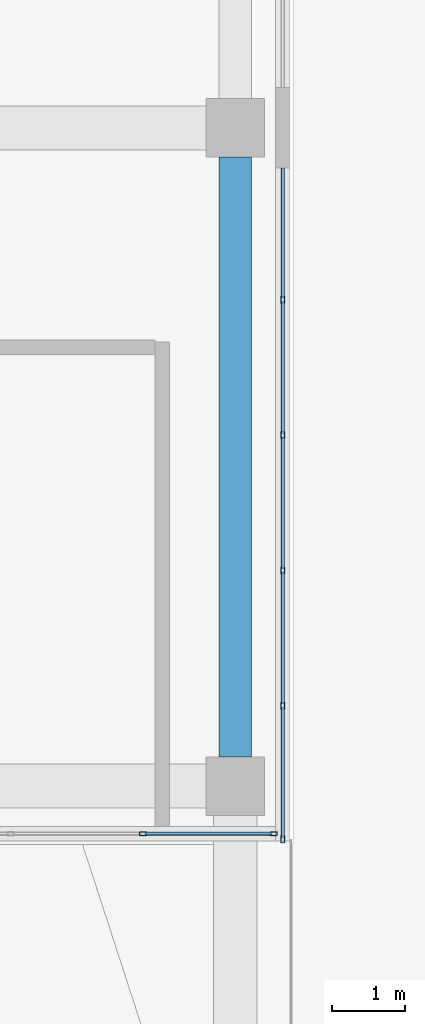
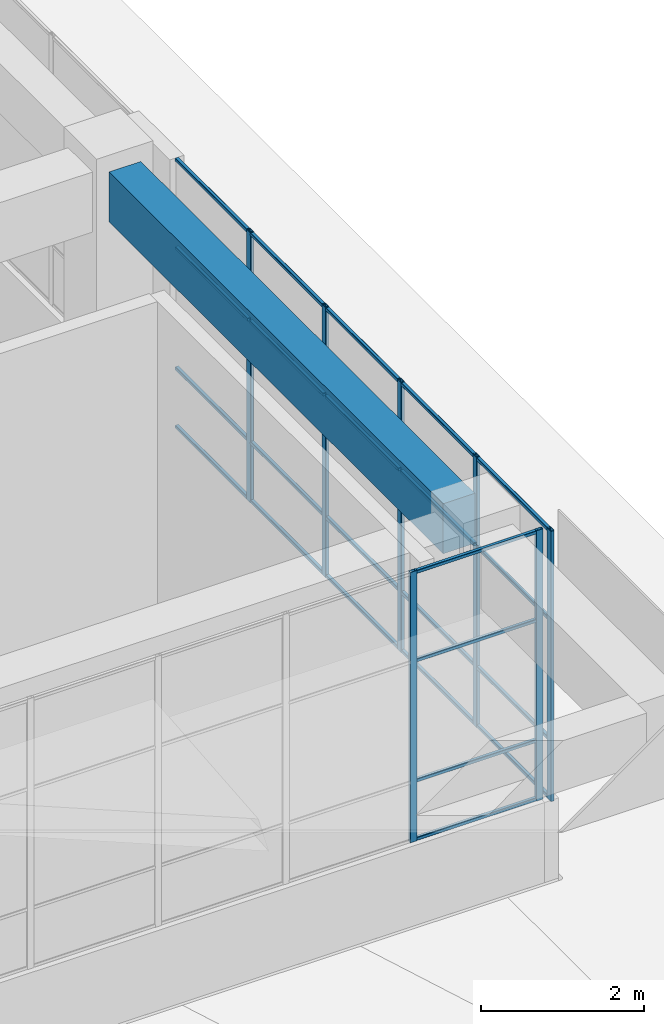
# One storey, part 34 of 72: 31 members, 1 beam, 2 elements without a shape of their own.
"""IFC4 building model written with IfcOpenShell, lengths in metres."""

from ifc_helpers import new_model, si_unit, direction, frame, origin, origin_2d, place, context, subcontext, project, spatial, rectangle, hollow_rectangle, extrude, material, layer, layer_set, material_profile, profile_set, type_object, element, aggregate, save


model = new_model("IFC4")

# Units and contexts
model_context = context("Model", 3, precision=1e-05, world=origin(), true_north=direction((0.0, 1.0)))
body_context = subcontext(model_context, "Body", "Model", "MODEL_VIEW")
ifc_project = project(units=[si_unit("LENGTHUNIT", "METRE"), si_unit("AREAUNIT", "SQUARE_METRE"), si_unit("VOLUMEUNIT", "CUBIC_METRE"), si_unit("PLANEANGLEUNIT", "RADIAN"), si_unit("MASSUNIT", "GRAM", prefix="KILO")], contexts=[model_context])

# Site, building, storey
site_placement = place(None, origin())
site = spatial("IfcSite", under=ifc_project, at=site_placement, CompositionType="ELEMENT")
building_placement = place(site_placement, origin())
building = spatial("IfcBuilding", under=site, at=building_placement, Name="Tuart Plaza Theatre", CompositionType="ELEMENT")
storey_placement = place(building_placement, origin())
storey = spatial("IfcBuildingStorey", under=building, at=storey_placement, Name="L00", CompositionType="ELEMENT", Elevation=0.0)

# Beam
ifc_material_1 = material(Name="Concrete N40 (40 MPa)", Category="concrete")
ifc_material_profile_1 = material_profile(ifc_material_1, rectangle(XDim=0.449951171875, YDim=0.75, at=origin_2d()), Name="BEAM 450x750 Concrete N40 (40 MPa)")
ifc_profile_set_1 = profile_set([ifc_material_profile_1], Name="Concrete N40 (40 MPa)")
beam_type = type_object("IfcBeamType", Name="BEAM 450x750 Concrete N40 (40 MPa)", PredefinedType="BEAM", material=ifc_profile_set_1)
beam_placement = place(storey_placement, frame((150.0, 56.39990234375, 4.875), z_axis=(0.0, 1.0, 0.0), x_axis=(-1.0, 0.0, 0.0)))
element("IfcBeam", 1, at=beam_placement, inside=storey, type_object=beam_type, Name="RB158", PredefinedType="BEAM", context=body_context, shape_type="SweptSolid", body=[
    extrude(rectangle(XDim=0.449951171875, YDim=0.75, at=origin_2d()), origin(), (0.0, 0.0, 1.0), 8.2001953125),
])

# Curtain wall, members
ifc_material_2 = material(Name="Aluminium and glass", Category="aluminium")
ifc_layer_1 = layer(ifc_material_2, 0.10009765625)
ifc_layer_set_1 = layer_set([ifc_layer_1], Name="CURTAIN WALL 2000 module")
curtain_wall_type_1 = type_object("IfcCurtainWallType", Name="CURTAIN WALL 2000 module", PredefinedType="NOTDEFINED", material=ifc_layer_set_1)
curtain_wall_1_placement = place(storey_placement, origin())
curtain_wall_1 = element("IfcCurtainWall", 2, at=curtain_wall_1_placement, inside=storey, type_object=curtain_wall_type_1, Name="CW48", PredefinedType="NOTDEFINED")
ifc_material_3 = material(Name="Aluminium 6063-T5", Category="aluminium")
ifc_material_profile_2 = material_profile(ifc_material_3, hollow_rectangle(XDim=0.050048828125, YDim=0.10009765625, WallThickness=0.00390625, InnerFilletRadius=0.00390625, OuterFilletRadius=0.008056640625, at=origin_2d()), Name="RHS 100x50x4")
ifc_profile_set_2 = profile_set([ifc_material_profile_2], Name="Aluminium 6063-T5")
member_type_1 = type_object("IfcMemberType", Name="MULLION RHS 100x50x4", PredefinedType="MULLION", material=ifc_profile_set_2)
member_1_placement = place(storey_placement, frame((150.64990234375, 55.27490234375, 1.199951171875), z_axis=(0.0, 0.0, 1.0), x_axis=(-1.0, 0.0, 0.0)))
member_1 = element("IfcMember", 3, at=member_1_placement, type_object=member_type_1, Name="CW48 mullion 1", PredefinedType="MULLION", context=body_context, shape_type="SweptSolid", body=[
    extrude(hollow_rectangle(XDim=0.050048828125, YDim=0.10009765625, WallThickness=0.00390625, InnerFilletRadius=0.00390625, OuterFilletRadius=0.008056640625, at=origin_2d()), origin(), (0.0, 0.0, 1.0), 4.050048828125),
])
member_2_placement = place(storey_placement, frame((150.64990234375, 57.10009765625, 1.199951171875), z_axis=(0.0, 0.0, 1.0), x_axis=(-1.0, 0.0, 0.0)))
member_2 = element("IfcMember", 4, at=member_2_placement, type_object=member_type_1, Name="CW48 mullion 2", PredefinedType="MULLION", context=body_context, shape_type="SweptSolid", body=[
    extrude(hollow_rectangle(XDim=0.050048828125, YDim=0.10009765625, WallThickness=0.00390625, InnerFilletRadius=0.00390625, OuterFilletRadius=0.008056640625, at=origin_2d()), origin(), (0.0, 0.0, 1.0), 4.050048828125),
])
member_3_placement = place(storey_placement, frame((150.64990234375, 58.949951171875, 1.199951171875), z_axis=(0.0, 0.0, 1.0), x_axis=(-1.0, 0.0, 0.0)))
member_3 = element("IfcMember", 5, at=member_3_placement, type_object=member_type_1, Name="CW48 mullion 3", PredefinedType="MULLION", context=body_context, shape_type="SweptSolid", body=[
    extrude(hollow_rectangle(XDim=0.050048828125, YDim=0.10009765625, WallThickness=0.00390625, InnerFilletRadius=0.00390625, OuterFilletRadius=0.008056640625, at=origin_2d()), origin(), (0.0, 0.0, 1.0), 4.050048828125),
])
member_4_placement = place(storey_placement, frame((150.64990234375, 60.800048828125, 1.199951171875), z_axis=(0.0, 0.0, 1.0), x_axis=(-1.0, 0.0, 0.0)))
member_4 = element("IfcMember", 6, at=member_4_placement, type_object=member_type_1, Name="CW48 mullion 4", PredefinedType="MULLION", context=body_context, shape_type="SweptSolid", body=[
    extrude(hollow_rectangle(XDim=0.050048828125, YDim=0.10009765625, WallThickness=0.00390625, InnerFilletRadius=0.00390625, OuterFilletRadius=0.008056640625, at=origin_2d()), origin(), (0.0, 0.0, 1.0), 4.050048828125),
])
member_5_placement = place(storey_placement, frame((150.64990234375, 62.64990234375, 1.199951171875), z_axis=(0.0, 0.0, 1.0), x_axis=(-1.0, 0.0, 0.0)))
member_5 = element("IfcMember", 7, at=member_5_placement, type_object=member_type_1, Name="CW48 mullion 5", PredefinedType="MULLION", context=body_context, shape_type="SweptSolid", body=[
    extrude(hollow_rectangle(XDim=0.050048828125, YDim=0.10009765625, WallThickness=0.00390625, InnerFilletRadius=0.00390625, OuterFilletRadius=0.008056640625, at=origin_2d()), origin(), (0.0, 0.0, 1.0), 4.050048828125),
])

ifc_material_4 = material(Name="Aluminium and glass", Category="aluminium")
ifc_layer_2 = layer(ifc_material_4, 0.10009765625)
ifc_layer_set_2 = layer_set([ifc_layer_2], Name="CURTAIN WALL 1800 module")
curtain_wall_type_2 = type_object("IfcCurtainWallType", Name="CURTAIN WALL 1800 module", PredefinedType="NOTDEFINED", material=ifc_layer_set_2)
curtain_wall_2_placement = place(storey_placement, origin())
curtain_wall_2 = element("IfcCurtainWall", 8, at=curtain_wall_2_placement, inside=storey, type_object=curtain_wall_type_2, Name="CW66", PredefinedType="NOTDEFINED")
member_6_placement = place(storey_placement, frame((148.739990234375, 55.35009765625, 1.199951171875), z_axis=(0.0, 0.0, 1.0), x_axis=(0.0, 1.0, 0.0)))
member_6 = element("IfcMember", 9, at=member_6_placement, type_object=member_type_1, Name="CW66 mullion 5", PredefinedType="MULLION", context=body_context, shape_type="SweptSolid", body=[
    extrude(hollow_rectangle(XDim=0.050048828125, YDim=0.10009765625, WallThickness=0.00390625, InnerFilletRadius=0.00390625, OuterFilletRadius=0.008056640625, at=origin_2d()), origin(), (0.0, 0.0, 1.0), 4.050048828125),
])
member_7_placement = place(storey_placement, frame((150.52490234375, 55.35009765625, 1.199951171875), z_axis=(0.0, 0.0, 1.0), x_axis=(0.0, 1.0, 0.0)))
member_7 = element("IfcMember", 10, at=member_7_placement, type_object=member_type_1, Name="CW66 mullion 6", PredefinedType="MULLION", context=body_context, shape_type="SweptSolid", body=[
    extrude(hollow_rectangle(XDim=0.050048828125, YDim=0.10009765625, WallThickness=0.00390625, InnerFilletRadius=0.00390625, OuterFilletRadius=0.008056640625, at=origin_2d()), origin(), (0.0, 0.0, 1.0), 4.050048828125),
])

# Member
ifc_material_5 = material(Name="Aluminium 6063-T5", Category="aluminium")
ifc_material_profile_3 = material_profile(ifc_material_5, hollow_rectangle(XDim=0.050048828125, YDim=0.050048828125, WallThickness=0.00390625, InnerFilletRadius=0.00390625, OuterFilletRadius=0.008056640625, at=origin_2d()), Name="RHS 50x50x4")
ifc_profile_set_3 = profile_set([ifc_material_profile_3], Name="Aluminium 6063-T5")
member_type_2 = type_object("IfcMemberType", Name="TRANSOM RHS 50x50x4", PredefinedType="USERDEFINED", material=ifc_profile_set_3)
member_8_placement = place(storey_placement, frame((150.64990234375, 55.300048828125, 1.22509765625), z_axis=(0.0, 1.0, 0.0), x_axis=(-1.0, 0.0, 0.0)))
member_8 = element("IfcMember", 11, at=member_8_placement, type_object=member_type_2, Name="CW48 transom 1.1", ObjectType="TRANSOM", PredefinedType="USERDEFINED", context=body_context, shape_type="SweptSolid", body=[
    extrude(hollow_rectangle(XDim=0.050048828125, YDim=0.050048828125, WallThickness=0.00390625, InnerFilletRadius=0.00390625, OuterFilletRadius=0.008056640625, at=origin_2d()), origin(), (0.0, 0.0, 1.0), 1.77490234375),
])

member_9_placement = place(storey_placement, frame((150.64990234375, 55.300048828125, 2.10009765625), z_axis=(0.0, 1.0, 0.0), x_axis=(-1.0, 0.0, 0.0)))
member_9 = element("IfcMember", 12, at=member_9_placement, type_object=member_type_2, Name="CW48 transom 1.2", ObjectType="TRANSOM", PredefinedType="USERDEFINED", context=body_context, shape_type="SweptSolid", body=[
    extrude(hollow_rectangle(XDim=0.050048828125, YDim=0.050048828125, WallThickness=0.00390625, InnerFilletRadius=0.00390625, OuterFilletRadius=0.008056640625, at=origin_2d()), origin(), (0.0, 0.0, 1.0), 1.77490234375),
])

member_10_placement = place(storey_placement, frame((150.64990234375, 55.300048828125, 3.89990234375), z_axis=(0.0, 1.0, 0.0), x_axis=(-1.0, 0.0, 0.0)))
member_10 = element("IfcMember", 13, at=member_10_placement, type_object=member_type_2, Name="CW48 transom 1.3", ObjectType="TRANSOM", PredefinedType="USERDEFINED", context=body_context, shape_type="SweptSolid", body=[
    extrude(hollow_rectangle(XDim=0.050048828125, YDim=0.050048828125, WallThickness=0.00390625, InnerFilletRadius=0.00390625, OuterFilletRadius=0.008056640625, at=origin_2d()), origin(), (0.0, 0.0, 1.0), 1.77490234375),
])

member_11_placement = place(storey_placement, frame((150.64990234375, 55.300048828125, 5.22509765625), z_axis=(0.0, 1.0, 0.0), x_axis=(-1.0, 0.0, 0.0)))
member_11 = element("IfcMember", 14, at=member_11_placement, type_object=member_type_2, Name="CW48 transom 1.4", ObjectType="TRANSOM", PredefinedType="USERDEFINED", context=body_context, shape_type="SweptSolid", body=[
    extrude(hollow_rectangle(XDim=0.050048828125, YDim=0.050048828125, WallThickness=0.00390625, InnerFilletRadius=0.00390625, OuterFilletRadius=0.008056640625, at=origin_2d()), origin(), (0.0, 0.0, 1.0), 1.77490234375),
])

member_12_placement = place(storey_placement, frame((150.64990234375, 57.125, 1.22509765625), z_axis=(0.0, 1.0, 0.0), x_axis=(-1.0, 0.0, 0.0)))
member_12 = element("IfcMember", 15, at=member_12_placement, type_object=member_type_2, Name="CW48 transom 2.1", ObjectType="TRANSOM", PredefinedType="USERDEFINED", context=body_context, shape_type="SweptSolid", body=[
    extrude(hollow_rectangle(XDim=0.050048828125, YDim=0.050048828125, WallThickness=0.00390625, InnerFilletRadius=0.00390625, OuterFilletRadius=0.008056640625, at=origin_2d()), origin(), (0.0, 0.0, 1.0), 1.800048828125),
])

member_13_placement = place(storey_placement, frame((150.64990234375, 57.125, 2.10009765625), z_axis=(0.0, 1.0, 0.0), x_axis=(-1.0, 0.0, 0.0)))
member_13 = element("IfcMember", 16, at=member_13_placement, type_object=member_type_2, Name="CW48 transom 2.2", ObjectType="TRANSOM", PredefinedType="USERDEFINED", context=body_context, shape_type="SweptSolid", body=[
    extrude(hollow_rectangle(XDim=0.050048828125, YDim=0.050048828125, WallThickness=0.00390625, InnerFilletRadius=0.00390625, OuterFilletRadius=0.008056640625, at=origin_2d()), origin(), (0.0, 0.0, 1.0), 1.800048828125),
])

member_14_placement = place(storey_placement, frame((150.64990234375, 57.125, 3.89990234375), z_axis=(0.0, 1.0, 0.0), x_axis=(-1.0, 0.0, 0.0)))
member_14 = element("IfcMember", 17, at=member_14_placement, type_object=member_type_2, Name="CW48 transom 2.3", ObjectType="TRANSOM", PredefinedType="USERDEFINED", context=body_context, shape_type="SweptSolid", body=[
    extrude(hollow_rectangle(XDim=0.050048828125, YDim=0.050048828125, WallThickness=0.00390625, InnerFilletRadius=0.00390625, OuterFilletRadius=0.008056640625, at=origin_2d()), origin(), (0.0, 0.0, 1.0), 1.800048828125),
])

member_15_placement = place(storey_placement, frame((150.64990234375, 57.125, 5.22509765625), z_axis=(0.0, 1.0, 0.0), x_axis=(-1.0, 0.0, 0.0)))
member_15 = element("IfcMember", 18, at=member_15_placement, type_object=member_type_2, Name="CW48 transom 2.4", ObjectType="TRANSOM", PredefinedType="USERDEFINED", context=body_context, shape_type="SweptSolid", body=[
    extrude(hollow_rectangle(XDim=0.050048828125, YDim=0.050048828125, WallThickness=0.00390625, InnerFilletRadius=0.00390625, OuterFilletRadius=0.008056640625, at=origin_2d()), origin(), (0.0, 0.0, 1.0), 1.800048828125),
])

member_16_placement = place(storey_placement, frame((150.64990234375, 58.97509765625, 1.22509765625), z_axis=(0.0, 1.0, 0.0), x_axis=(-1.0, 0.0, 0.0)))
member_16 = element("IfcMember", 19, at=member_16_placement, type_object=member_type_2, Name="CW48 transom 3.1", ObjectType="TRANSOM", PredefinedType="USERDEFINED", context=body_context, shape_type="SweptSolid", body=[
    extrude(hollow_rectangle(XDim=0.050048828125, YDim=0.050048828125, WallThickness=0.00390625, InnerFilletRadius=0.00390625, OuterFilletRadius=0.008056640625, at=origin_2d()), origin(), (0.0, 0.0, 1.0), 1.7998046875),
])

member_17_placement = place(storey_placement, frame((150.64990234375, 58.97509765625, 2.10009765625), z_axis=(0.0, 1.0, 0.0), x_axis=(-1.0, 0.0, 0.0)))
member_17 = element("IfcMember", 20, at=member_17_placement, type_object=member_type_2, Name="CW48 transom 3.2", ObjectType="TRANSOM", PredefinedType="USERDEFINED", context=body_context, shape_type="SweptSolid", body=[
    extrude(hollow_rectangle(XDim=0.050048828125, YDim=0.050048828125, WallThickness=0.00390625, InnerFilletRadius=0.00390625, OuterFilletRadius=0.008056640625, at=origin_2d()), origin(), (0.0, 0.0, 1.0), 1.7998046875),
])

member_18_placement = place(storey_placement, frame((150.64990234375, 58.97509765625, 3.89990234375), z_axis=(0.0, 1.0, 0.0), x_axis=(-1.0, 0.0, 0.0)))
member_18 = element("IfcMember", 21, at=member_18_placement, type_object=member_type_2, Name="CW48 transom 3.3", ObjectType="TRANSOM", PredefinedType="USERDEFINED", context=body_context, shape_type="SweptSolid", body=[
    extrude(hollow_rectangle(XDim=0.050048828125, YDim=0.050048828125, WallThickness=0.00390625, InnerFilletRadius=0.00390625, OuterFilletRadius=0.008056640625, at=origin_2d()), origin(), (0.0, 0.0, 1.0), 1.7998046875),
])

member_19_placement = place(storey_placement, frame((150.64990234375, 58.97509765625, 5.22509765625), z_axis=(0.0, 1.0, 0.0), x_axis=(-1.0, 0.0, 0.0)))
member_19 = element("IfcMember", 22, at=member_19_placement, type_object=member_type_2, Name="CW48 transom 3.4", ObjectType="TRANSOM", PredefinedType="USERDEFINED", context=body_context, shape_type="SweptSolid", body=[
    extrude(hollow_rectangle(XDim=0.050048828125, YDim=0.050048828125, WallThickness=0.00390625, InnerFilletRadius=0.00390625, OuterFilletRadius=0.008056640625, at=origin_2d()), origin(), (0.0, 0.0, 1.0), 1.7998046875),
])

member_20_placement = place(storey_placement, frame((150.64990234375, 60.824951171875, 1.22509765625), z_axis=(0.0, 1.0, 0.0), x_axis=(-1.0, 0.0, 0.0)))
member_20 = element("IfcMember", 23, at=member_20_placement, type_object=member_type_2, Name="CW48 transom 4.1", ObjectType="TRANSOM", PredefinedType="USERDEFINED", context=body_context, shape_type="SweptSolid", body=[
    extrude(hollow_rectangle(XDim=0.050048828125, YDim=0.050048828125, WallThickness=0.00390625, InnerFilletRadius=0.00390625, OuterFilletRadius=0.008056640625, at=origin_2d()), origin(), (0.0, 0.0, 1.0), 1.800048828125),
])

member_21_placement = place(storey_placement, frame((150.64990234375, 60.824951171875, 2.10009765625), z_axis=(0.0, 1.0, 0.0), x_axis=(-1.0, 0.0, 0.0)))
member_21 = element("IfcMember", 24, at=member_21_placement, type_object=member_type_2, Name="CW48 transom 4.2", ObjectType="TRANSOM", PredefinedType="USERDEFINED", context=body_context, shape_type="SweptSolid", body=[
    extrude(hollow_rectangle(XDim=0.050048828125, YDim=0.050048828125, WallThickness=0.00390625, InnerFilletRadius=0.00390625, OuterFilletRadius=0.008056640625, at=origin_2d()), origin(), (0.0, 0.0, 1.0), 1.800048828125),
])

member_22_placement = place(storey_placement, frame((150.64990234375, 60.824951171875, 3.89990234375), z_axis=(0.0, 1.0, 0.0), x_axis=(-1.0, 0.0, 0.0)))
member_22 = element("IfcMember", 25, at=member_22_placement, type_object=member_type_2, Name="CW48 transom 4.3", ObjectType="TRANSOM", PredefinedType="USERDEFINED", context=body_context, shape_type="SweptSolid", body=[
    extrude(hollow_rectangle(XDim=0.050048828125, YDim=0.050048828125, WallThickness=0.00390625, InnerFilletRadius=0.00390625, OuterFilletRadius=0.008056640625, at=origin_2d()), origin(), (0.0, 0.0, 1.0), 1.800048828125),
])

member_23_placement = place(storey_placement, frame((150.64990234375, 60.824951171875, 5.22509765625), z_axis=(0.0, 1.0, 0.0), x_axis=(-1.0, 0.0, 0.0)))
member_23 = element("IfcMember", 26, at=member_23_placement, type_object=member_type_2, Name="CW48 transom 4.4", ObjectType="TRANSOM", PredefinedType="USERDEFINED", context=body_context, shape_type="SweptSolid", body=[
    extrude(hollow_rectangle(XDim=0.050048828125, YDim=0.050048828125, WallThickness=0.00390625, InnerFilletRadius=0.00390625, OuterFilletRadius=0.008056640625, at=origin_2d()), origin(), (0.0, 0.0, 1.0), 1.800048828125),
])

member_24_placement = place(storey_placement, frame((150.64990234375, 62.675048828125, 1.22509765625), z_axis=(0.0, 1.0, 0.0), x_axis=(-1.0, 0.0, 0.0)))
member_24 = element("IfcMember", 27, at=member_24_placement, type_object=member_type_2, Name="CW48 transom 5.1", ObjectType="TRANSOM", PredefinedType="USERDEFINED", context=body_context, shape_type="SweptSolid", body=[
    extrude(hollow_rectangle(XDim=0.050048828125, YDim=0.050048828125, WallThickness=0.00390625, InnerFilletRadius=0.00390625, OuterFilletRadius=0.008056640625, at=origin_2d()), origin(), (0.0, 0.0, 1.0), 1.77490234375),
])

member_25_placement = place(storey_placement, frame((150.64990234375, 62.675048828125, 2.10009765625), z_axis=(0.0, 1.0, 0.0), x_axis=(-1.0, 0.0, 0.0)))
member_25 = element("IfcMember", 28, at=member_25_placement, type_object=member_type_2, Name="CW48 transom 5.2", ObjectType="TRANSOM", PredefinedType="USERDEFINED", context=body_context, shape_type="SweptSolid", body=[
    extrude(hollow_rectangle(XDim=0.050048828125, YDim=0.050048828125, WallThickness=0.00390625, InnerFilletRadius=0.00390625, OuterFilletRadius=0.008056640625, at=origin_2d()), origin(), (0.0, 0.0, 1.0), 1.77490234375),
])

member_26_placement = place(storey_placement, frame((150.64990234375, 62.675048828125, 3.89990234375), z_axis=(0.0, 1.0, 0.0), x_axis=(-1.0, 0.0, 0.0)))
member_26 = element("IfcMember", 29, at=member_26_placement, type_object=member_type_2, Name="CW48 transom 5.3", ObjectType="TRANSOM", PredefinedType="USERDEFINED", context=body_context, shape_type="SweptSolid", body=[
    extrude(hollow_rectangle(XDim=0.050048828125, YDim=0.050048828125, WallThickness=0.00390625, InnerFilletRadius=0.00390625, OuterFilletRadius=0.008056640625, at=origin_2d()), origin(), (0.0, 0.0, 1.0), 1.77490234375),
])

member_27_placement = place(storey_placement, frame((150.64990234375, 62.675048828125, 5.22509765625), z_axis=(0.0, 1.0, 0.0), x_axis=(-1.0, 0.0, 0.0)))
member_27 = element("IfcMember", 30, at=member_27_placement, type_object=member_type_2, Name="CW48 transom 5.4", ObjectType="TRANSOM", PredefinedType="USERDEFINED", context=body_context, shape_type="SweptSolid", body=[
    extrude(hollow_rectangle(XDim=0.050048828125, YDim=0.050048828125, WallThickness=0.00390625, InnerFilletRadius=0.00390625, OuterFilletRadius=0.008056640625, at=origin_2d()), origin(), (0.0, 0.0, 1.0), 1.77490234375),
])

aggregate(curtain_wall_1, [member_1, member_2, member_3, member_4, member_5, member_8, member_9, member_10, member_11, member_12, member_13, member_14, member_15, member_16, member_17, member_18, member_19, member_20, member_21, member_22, member_23, member_24, member_25, member_26, member_27])

member_28_placement = place(storey_placement, frame((148.764892578125, 55.35009765625, 1.22509765625), z_axis=(1.0, 0.0, 0.0), x_axis=(0.0, 1.0, 0.0)))
member_28 = element("IfcMember", 31, at=member_28_placement, type_object=member_type_2, Name="CW66 transom 5.1", ObjectType="TRANSOM", PredefinedType="USERDEFINED", context=body_context, shape_type="SweptSolid", body=[
    extrude(hollow_rectangle(XDim=0.050048828125, YDim=0.050048828125, WallThickness=0.00390625, InnerFilletRadius=0.00390625, OuterFilletRadius=0.008056640625, at=origin_2d()), origin(), (0.0, 0.0, 1.0), 1.735107421875),
])

member_29_placement = place(storey_placement, frame((148.764892578125, 55.35009765625, 2.10009765625), z_axis=(1.0, 0.0, 0.0), x_axis=(0.0, 1.0, 0.0)))
member_29 = element("IfcMember", 32, at=member_29_placement, type_object=member_type_2, Name="CW66 transom 5.2", ObjectType="TRANSOM", PredefinedType="USERDEFINED", context=body_context, shape_type="SweptSolid", body=[
    extrude(hollow_rectangle(XDim=0.050048828125, YDim=0.050048828125, WallThickness=0.00390625, InnerFilletRadius=0.00390625, OuterFilletRadius=0.008056640625, at=origin_2d()), origin(), (0.0, 0.0, 1.0), 1.735107421875),
])

member_30_placement = place(storey_placement, frame((148.764892578125, 55.35009765625, 3.89990234375), z_axis=(1.0, 0.0, 0.0), x_axis=(0.0, 1.0, 0.0)))
member_30 = element("IfcMember", 33, at=member_30_placement, type_object=member_type_2, Name="CW66 transom 5.3", ObjectType="TRANSOM", PredefinedType="USERDEFINED", context=body_context, shape_type="SweptSolid", body=[
    extrude(hollow_rectangle(XDim=0.050048828125, YDim=0.050048828125, WallThickness=0.00390625, InnerFilletRadius=0.00390625, OuterFilletRadius=0.008056640625, at=origin_2d()), origin(), (0.0, 0.0, 1.0), 1.735107421875),
])

member_31_placement = place(storey_placement, frame((148.764892578125, 55.35009765625, 5.22509765625), z_axis=(1.0, 0.0, 0.0), x_axis=(0.0, 1.0, 0.0)))
member_31 = element("IfcMember", 34, at=member_31_placement, type_object=member_type_2, Name="CW66 transom 5.4", ObjectType="TRANSOM", PredefinedType="USERDEFINED", context=body_context, shape_type="SweptSolid", body=[
    extrude(hollow_rectangle(XDim=0.050048828125, YDim=0.050048828125, WallThickness=0.00390625, InnerFilletRadius=0.00390625, OuterFilletRadius=0.008056640625, at=origin_2d()), origin(), (0.0, 0.0, 1.0), 1.735107421875),
])

aggregate(curtain_wall_2, [member_6, member_7, member_28, member_29, member_30, member_31])

save(model, "model.ifc")
